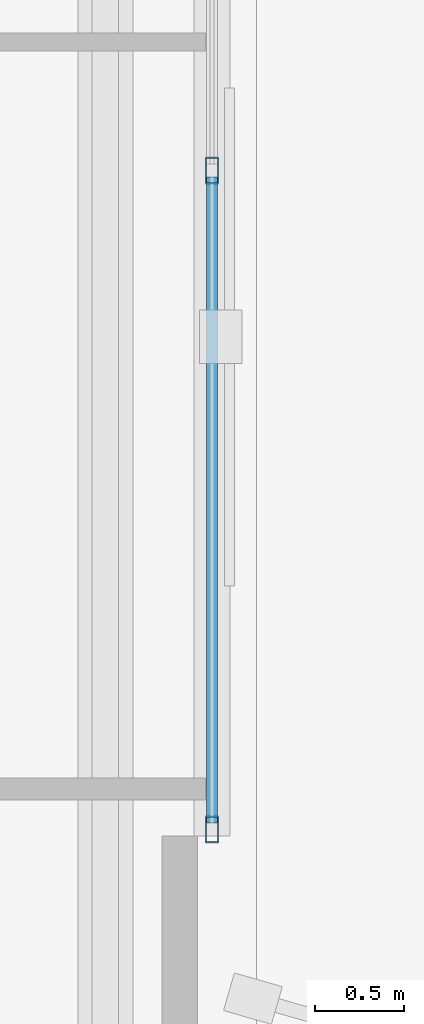
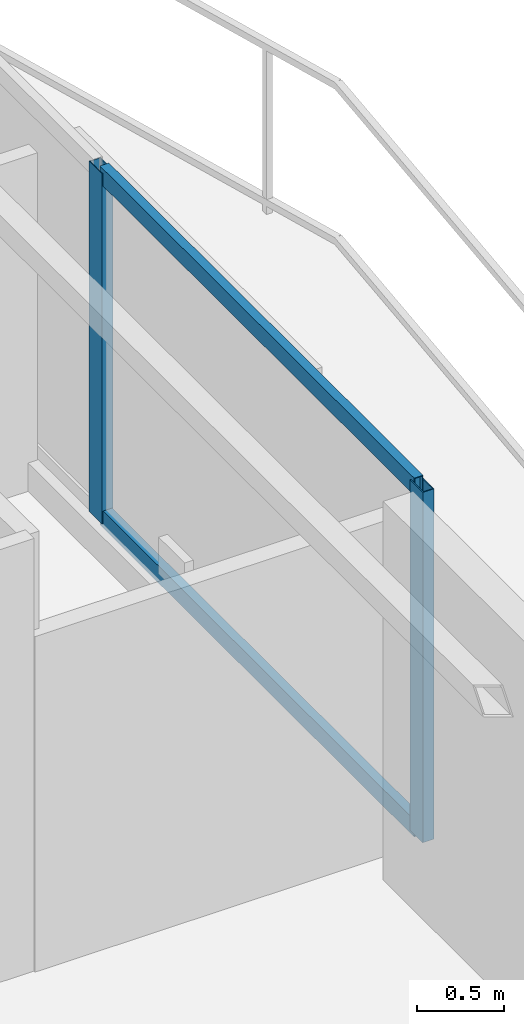
# One storey, part 8 of 23: 4 members, 1 element without a shape of its own.
"""IFC4 building model written with IfcOpenShell, lengths in metres."""

from ifc_helpers import new_model, si_unit, direction, frame, origin, origin_2d, place, context, subcontext, project, spatial, hollow_rectangle, extrude, material, layer, layer_set, material_profile, profile_set, type_object, element, aggregate, save


model = new_model("IFC4")

# Units and contexts
model_context = context("Model", 3, precision=1e-05, world=origin(), true_north=direction((0.0, 1.0)))
body_context = subcontext(model_context, "Body", "Model", "MODEL_VIEW")
ifc_project = project(units=[si_unit("LENGTHUNIT", "METRE"), si_unit("AREAUNIT", "SQUARE_METRE"), si_unit("VOLUMEUNIT", "CUBIC_METRE"), si_unit("PLANEANGLEUNIT", "RADIAN"), si_unit("MASSUNIT", "GRAM", prefix="KILO")], contexts=[model_context])

# Site, building, storey
site_placement = place(None, origin())
site = spatial("IfcSite", under=ifc_project, at=site_placement, CompositionType="ELEMENT")
building_placement = place(site_placement, origin())
building = spatial("IfcBuilding", under=site, at=building_placement, Name="Mersakhor Tower and Convention Hall", CompositionType="ELEMENT")
storey_placement = place(building_placement, frame((0.0, 0.0, 106.5)))
storey = spatial("IfcBuildingStorey", under=building, at=storey_placement, Name="L29", CompositionType="ELEMENT", Elevation=106.5)

# Curtain wall, members
ifc_material_1 = material(Name="Dark solar low-E aluminium curtain wall", Category="aluminium")
ifc_layer = layer(ifc_material_1, 0.159912109375)
ifc_layer_set = layer_set([ifc_layer], Name="Dark solar low-E aluminium curtain wall")
curtain_wall_type = type_object("IfcCurtainWallType", Name="CW-SYS-01", PredefinedType="USERDEFINED", material=ifc_layer_set)
curtain_wall_placement = place(storey_placement, origin())
curtain_wall = element("IfcCurtainWall", 1, at=curtain_wall_placement, inside=storey, type_object=curtain_wall_type, Name="L29 Dark-Glass Curtain Wall F2-B2", ObjectType="CURTAIN WALL", PredefinedType="USERDEFINED")
ifc_material_2 = material(Name="Anodised aluminium EN AW-6063 T6", Category="aluminium")
ifc_material_profile_1 = material_profile(ifc_material_2, hollow_rectangle(XDim=0.074951171875, YDim=0.14990234375, WallThickness=0.00634765625, at=origin_2d()), Name="RHS 150x75x6.3")
ifc_profile_set_1 = profile_set([ifc_material_profile_1], Name="Anodised aluminium EN AW-6063 T6")
member_type_1 = type_object("IfcMemberType", Name="CWM-150x75", PredefinedType="MULLION", material=ifc_profile_set_1)
member_1_placement = place(storey_placement, frame((43.03466796875, 24.87841796875, 0.199951171875), z_axis=(0.0, 0.0, 1.0), x_axis=(1.0, 0.0, 0.0)))
member_1 = element("IfcMember", 2, at=member_1_placement, type_object=member_type_1, Name="CW-01 mullion 3", PredefinedType="MULLION", context=body_context, shape_type="SweptSolid", body=[
    extrude(hollow_rectangle(XDim=0.074951171875, YDim=0.14990234375, WallThickness=0.00634765625, at=origin_2d()), origin(), (0.0, 0.0, 1.0), 2.469970703125),
])
member_2_placement = place(storey_placement, frame((43.03466796875, 21.172607421875, 0.199951171875), z_axis=(0.0, 0.0, 1.0), x_axis=(1.0, 0.0, 0.0)))
member_2 = element("IfcMember", 3, at=member_2_placement, type_object=member_type_1, Name="CW-01 mullion 4", PredefinedType="MULLION", context=body_context, shape_type="SweptSolid", body=[
    extrude(hollow_rectangle(XDim=0.074951171875, YDim=0.14990234375, WallThickness=0.00634765625, at=origin_2d()), origin(), (0.0, 0.0, 1.0), 2.469970703125),
])
ifc_material_3 = material(Name="Anodised aluminium EN AW-6063 T6", Category="aluminium")
ifc_material_profile_2 = material_profile(ifc_material_3, hollow_rectangle(XDim=0.06005859375, YDim=0.1201171875, WallThickness=0.0048828125, at=origin_2d()), Name="RHS 120x60x5")
ifc_profile_set_2 = profile_set([ifc_material_profile_2], Name="Anodised aluminium EN AW-6063 T6")
member_type_2 = type_object("IfcMemberType", Name="CWT-120x60", PredefinedType="USERDEFINED", material=ifc_profile_set_2)
member_3_placement = place(storey_placement, frame((43.03466796875, 24.8408203125, 0.22998046875), z_axis=(0.0, -1.0, 0.0), x_axis=(1.0, 0.0, 0.0)))
member_3 = element("IfcMember", 4, at=member_3_placement, type_object=member_type_2, Name="CW-01 transom 3.1", ObjectType="TRANSOM", PredefinedType="USERDEFINED", context=body_context, shape_type="SweptSolid", body=[
    extrude(hollow_rectangle(XDim=0.06005859375, YDim=0.1201171875, WallThickness=0.0048828125, at=origin_2d()), origin(), (0.0, 0.0, 1.0), 3.630615234375),
])
member_4_placement = place(storey_placement, frame((43.03466796875, 24.8408203125, 2.639892578125), z_axis=(0.0, -1.0, 0.0), x_axis=(1.0, 0.0, 0.0)))
member_4 = element("IfcMember", 5, at=member_4_placement, type_object=member_type_2, Name="CW-01 transom 3.2", ObjectType="TRANSOM", PredefinedType="USERDEFINED", context=body_context, shape_type="SweptSolid", body=[
    extrude(hollow_rectangle(XDim=0.06005859375, YDim=0.1201171875, WallThickness=0.0048828125, at=origin_2d()), origin(), (0.0, 0.0, 1.0), 3.630615234375),
])
aggregate(curtain_wall, [member_1, member_2, member_3, member_4])

save(model, "model.ifc")
